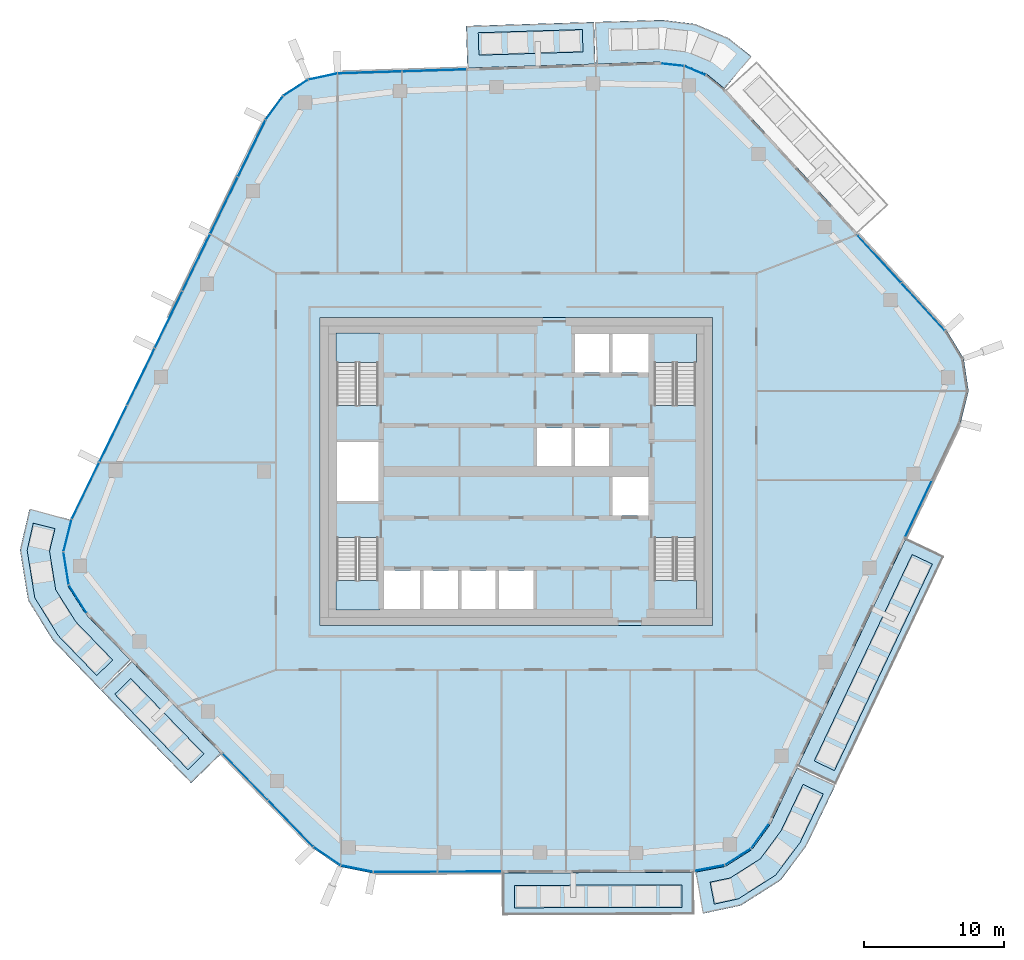
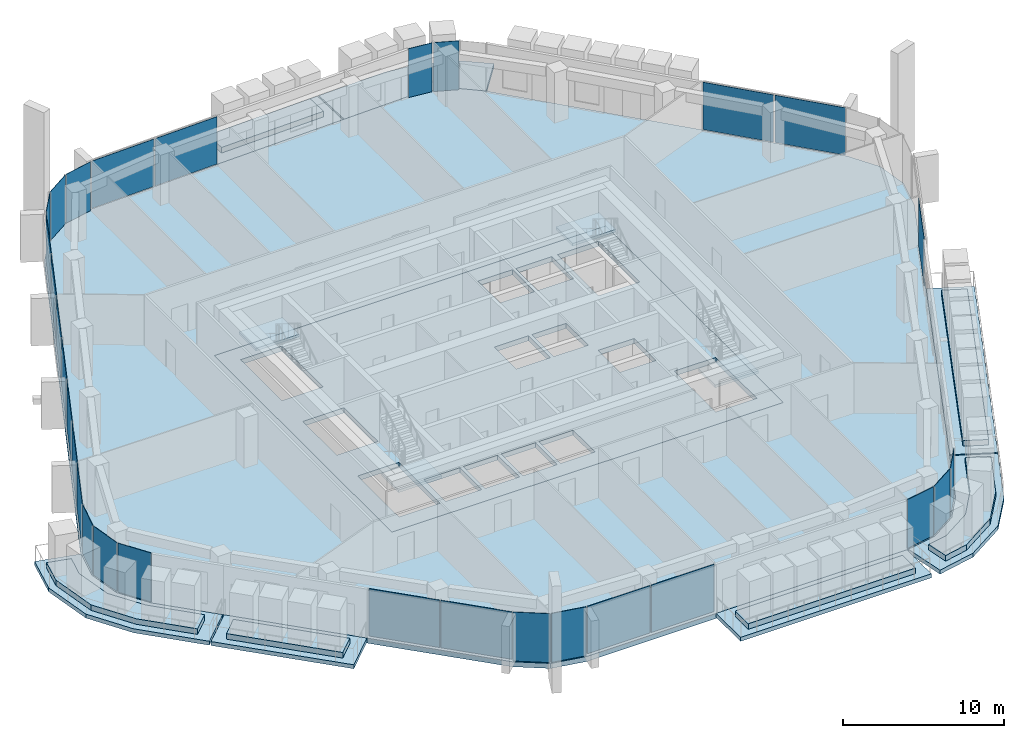
# One storey, part 11 of 24: 29 plates, 19 slabs, 15 elements without a shape of their own.
"""IFC4 building model written with IfcOpenShell, lengths in metres."""

from ifc_helpers import new_model, si_unit, direction, frame, origin, origin_2d, place, context, subcontext, project, spatial, polyline, rectangle, outline, extrude, material, layer, layer_set, type_object, element, aggregate, save


model = new_model("IFC4")

# Units and contexts
model_context = context("Model", 3, precision=1e-05, world=origin(), true_north=direction((0.0, 1.0)))
body_context = subcontext(model_context, "Body", "Model", "MODEL_VIEW")
ifc_project = project(units=[si_unit("LENGTHUNIT", "METRE"), si_unit("AREAUNIT", "SQUARE_METRE"), si_unit("VOLUMEUNIT", "CUBIC_METRE"), si_unit("PLANEANGLEUNIT", "RADIAN"), si_unit("MASSUNIT", "GRAM", prefix="KILO")], contexts=[model_context])

# Site, building, storey
site_placement = place(None, origin())
site = spatial("IfcSite", under=ifc_project, at=site_placement, CompositionType="ELEMENT")
building_placement = place(site_placement, origin())
building = spatial("IfcBuilding", under=site, at=building_placement, Name="Dongbaek Canopy Tower", CompositionType="ELEMENT")
storey_placement = place(building_placement, frame((0.0, 0.0, 344.60009765625)))
storey = spatial("IfcBuildingStorey", under=building, at=storey_placement, Name="L74", CompositionType="ELEMENT", Elevation=344.60009765625)

# Slabs
ifc_material_1 = material(Name="Concrete C40/50", Category="concrete")
ifc_layer_1 = layer(ifc_material_1, 0.300048828125)
ifc_layer_set_1 = layer_set([ifc_layer_1], Name="Balcony slab 300")
slab_type_1 = type_object("IfcSlabType", Name="Balcony slab 300", PredefinedType="FLOOR", material=ifc_layer_set_1)
slab_1_placement = place(storey_placement, frame((0.0, 0.0, -0.300048828125)))
element("IfcSlab", 1, at=slab_1_placement, inside=storey, type_object=slab_type_1, Name="Balcony L74 2", PredefinedType="FLOOR", context=body_context, shape_type="SweptSolid", body=[
    extrude(outline(polyline([(5.638916015625, 29.081298828125), (-3.489990234375, 28.798095703125), (-3.5830078125, 31.796630859375), (5.5458984375, 32.079833984375), (5.638916015625, 29.081298828125)])), origin(), (0.0, 0.0, 1.0), 0.300048828125),
])
slab_2_placement = place(storey_placement, frame((0.0, 0.0, -0.300048828125)))
element("IfcSlab", 2, at=slab_2_placement, inside=storey, type_object=slab_type_1, Name="Balcony L74 6", PredefinedType="FLOOR", context=body_context, shape_type="SweptSolid", body=[
    extrude(outline(polyline([(14.8701171875, 27.318603515625), (13.582763671875, 28.369873046875), (12.0048828125, 29.0341796875), (10.303466796875, 29.225830078125), (5.739013671875, 29.084228515625), (5.64599609375, 32.082763671875), (10.425048828125, 32.223388671875), (12.762451171875, 31.93701171875), (15.12939453125, 30.9404296875), (16.767578125, 29.642333984375), (14.8701171875, 27.318603515625)])), origin(), (0.0, 0.0, 1.0), 0.300048828125),
])
slab_3_placement = place(storey_placement, frame((0.0, 0.0, -0.300048828125)))
element("IfcSlab", 3, at=slab_3_placement, inside=storey, type_object=slab_type_1, Name="Balcony L74 3", PredefinedType="FLOOR", context=body_context, shape_type="SweptSolid", body=[
    extrude(outline(polyline([(-27.45849609375, -13.54345703125), (-21.053955078125, -20.143798828125), (-23.20703125, -22.23291015625), (-29.611572265625, -15.632568359375), (-27.45849609375, -13.54345703125)])), origin(), (0.0, 0.0, 1.0), 0.300048828125),
])
slab_4_placement = place(storey_placement, frame((0.0, 0.0, -0.300048828125)))
element("IfcSlab", 4, at=slab_4_placement, inside=storey, type_object=slab_type_1, Name="Balcony L74 7", PredefinedType="FLOOR", context=body_context, shape_type="SweptSolid", body=[
    extrude(outline(polyline([(-31.833984375, -3.4208984375), (-32.41845703125, -5.725830078125), (-32.03369140625, -8.123046875), (-30.73046875, -10.17138671875), (-27.5283203125, -13.4716796875), (-29.68115234375, -15.560791015625), (-33.084716796875, -12.03076171875), (-34.83837890625, -9.18798828125), (-35.41552734375, -5.592041015625), (-34.741943359375, -2.68359375), (-31.833984375, -3.4208984375)])), origin(), (0.0, 0.0, 1.0), 0.300048828125),
])
slab_5_placement = place(storey_placement, frame((0.0, 0.0, -0.300048828125)))
element("IfcSlab", 5, at=slab_5_placement, inside=storey, type_object=slab_type_1, Name="Balcony L74 4", PredefinedType="FLOOR", context=body_context, shape_type="SweptSolid", body=[
    extrude(outline(polyline([(-0.9921875, -28.6455078125), (12.675537109375, -28.603515625), (12.6845703125, -31.603515625), (-0.98291015625, -31.6455078125), (-0.9921875, -28.6455078125)])), origin(), (0.0, 0.0, 1.0), 0.300048828125),
])
slab_6_placement = place(storey_placement, frame((0.0, 0.0, -0.300048828125)))
element("IfcSlab", 6, at=slab_6_placement, inside=storey, type_object=slab_type_1, Name="Balcony L74 5", PredefinedType="FLOOR", context=body_context, shape_type="SweptSolid", body=[
    extrude(outline(polyline([(20.08935546875, -21.039306640625), (27.8056640625, -4.769775390625), (30.516357421875, -6.05517578125), (22.800048828125, -22.324951171875), (20.08935546875, -21.039306640625)])), origin(), (0.0, 0.0, 1.0), 0.300048828125),
])
slab_7_placement = place(storey_placement, frame((0.0, 0.0, -0.300048828125)))
element("IfcSlab", 7, at=slab_7_placement, inside=storey, type_object=slab_type_1, Name="Balcony L74 8", PredefinedType="FLOOR", context=body_context, shape_type="SweptSolid", body=[
    extrude(outline(polyline([(12.7744140625, -28.593994140625), (14.921630859375, -28.179931640625), (16.809814453125, -26.9814453125), (18.128173828125, -25.174560546875), (20.046630859375, -21.129638671875), (22.757080078125, -22.415283203125), (20.70654296875, -26.708251953125), (18.861328125, -29.17041015625), (16.02880859375, -30.968017578125), (13.3427734375, -31.53955078125), (12.7744140625, -28.593994140625)])), origin(), (0.0, 0.0, 1.0), 0.300048828125),
])

# Curtain wall, plates
ifc_material_2 = material(Name="Aluminium 6063-T6 pale anodised", Category="aluminium")
ifc_layer_2 = layer(ifc_material_2, 0.199951171875)
ifc_layer_set_2 = layer_set([ifc_layer_2], Name="CW-1 unitised tower curtain wall")
curtain_wall_type = type_object("IfcCurtainWallType", Name="CW-1 unitised tower curtain wall", PredefinedType="NOTDEFINED", material=ifc_layer_set_2)
curtain_wall_1_placement = place(storey_placement, origin())
curtain_wall_1 = element("IfcCurtainWall", 8, at=curtain_wall_1_placement, inside=storey, type_object=curtain_wall_type, Name="CW-1 curtain wall F0.1", PredefinedType="NOTDEFINED")
ifc_material_3 = material(Name="Clear laminated glass", Category="glass")
ifc_layer_3 = layer(ifc_material_3, 0.028076171875)
ifc_layer_set_3 = layer_set([ifc_layer_3], Name="CW-1 glazed panel 28")
plate_type = type_object("IfcPlateType", Name="CW-1 glazed panel 28", PredefinedType="CURTAIN_PANEL", material=ifc_layer_set_3)
plate_1_placement = place(storey_placement, frame((29.04833984375, 11.7412109375, 0.119873046875), z_axis=(0.0, 0.0, 1.0), x_axis=(-0.676365053133, 0.736566571941, 0.0)))
plate_1 = element("IfcPlate", 9, at=plate_1_placement, type_object=plate_type, Name="CW-1 panel F0.1.1.1", PredefinedType="CURTAIN_PANEL", context=body_context, shape_type="SweptSolid", body=[
    extrude(rectangle(XDim=4.576904296875, YDim=0.028076171875, at=origin_2d()), origin(), (0.0, 0.0, 1.0), 3.580078125),
])
plate_2_placement = place(storey_placement, frame((25.892578125, 15.177978515625, 0.119873046875), z_axis=(0.0, 0.0, 1.0), x_axis=(-0.676365053133, 0.736566571941, 0.0)))
plate_2 = element("IfcPlate", 10, at=plate_2_placement, type_object=plate_type, Name="CW-1 panel F0.1.2.1", PredefinedType="CURTAIN_PANEL", context=body_context, shape_type="SweptSolid", body=[
    extrude(rectangle(XDim=4.5869140625, YDim=0.028076171875, at=origin_2d()), origin(), (0.0, 0.0, 1.0), 3.580078125),
])
aggregate(curtain_wall_1, [plate_1, plate_2])

curtain_wall_2_placement = place(storey_placement, origin())
curtain_wall_2 = element("IfcCurtainWall", 11, at=curtain_wall_2_placement, inside=storey, type_object=curtain_wall_type, Name="CW-1 curtain wall K1.1", PredefinedType="NOTDEFINED")
plate_3_placement = place(storey_placement, frame((12.7548828125, 28.60986328125, 0.0), z_axis=(0.0, 0.0, 1.0), x_axis=(-0.921649608494, 0.388023194103, 0.0)))
plate_3 = element("IfcPlate", 12, at=plate_3_placement, type_object=plate_type, Name="CW-1 panel K1.1.2.1", PredefinedType="CURTAIN_PANEL", context=body_context, shape_type="SweptSolid", body=[
    extrude(rectangle(XDim=1.599365234375, YDim=0.028076171875, at=origin_2d()), origin(), (0.0, 0.0, 1.0), 3.699951171875),
])
plate_4_placement = place(storey_placement, frame((11.139404296875, 29.03125, 0.0), z_axis=(0.0, 0.0, 1.0), x_axis=(-0.9937170701, 0.111921332156, 0.0)))
plate_4 = element("IfcPlate", 13, at=plate_4_placement, type_object=plate_type, Name="CW-1 panel K1.1.3.1", PredefinedType="CURTAIN_PANEL", context=body_context, shape_type="SweptSolid", body=[
    extrude(rectangle(XDim=1.6064453125, YDim=0.028076171875, at=origin_2d()), origin(), (0.0, 0.0, 1.0), 3.699951171875),
])
aggregate(curtain_wall_2, [plate_3, plate_4])

curtain_wall_3_placement = place(storey_placement, origin())
curtain_wall_3 = element("IfcCurtainWall", 14, at=curtain_wall_3_placement, inside=storey, type_object=curtain_wall_type, Name="CW-1 curtain wall F1.1", PredefinedType="NOTDEFINED")
plate_5_placement = place(storey_placement, frame((-5.843994140625, 28.625, 0.119873046875), z_axis=(0.0, 0.0, 1.0), x_axis=(-0.999519278036, -0.031003432615, 0.0)))
plate_5 = element("IfcPlate", 15, at=plate_5_placement, type_object=plate_type, Name="CW-1 panel F1.1.1.1", PredefinedType="CURTAIN_PANEL", context=body_context, shape_type="SweptSolid", body=[
    extrude(rectangle(XDim=4.53271484375, YDim=0.028076171875, at=origin_2d()), origin(), (0.0, 0.0, 1.0), 3.580078125),
])
plate_6_placement = place(storey_placement, frame((-10.4541015625, 28.48193359375, 0.119873046875), z_axis=(0.0, 0.0, 1.0), x_axis=(-0.999519278036, -0.031003432615, 0.0)))
plate_6 = element("IfcPlate", 16, at=plate_6_placement, type_object=plate_type, Name="CW-1 panel F1.1.2.1", PredefinedType="CURTAIN_PANEL", context=body_context, shape_type="SweptSolid", body=[
    extrude(rectangle(XDim=4.523681640625, YDim=0.028076171875, at=origin_2d()), origin(), (0.0, 0.0, 1.0), 3.580078125),
])
aggregate(curtain_wall_3, [plate_5, plate_6])

curtain_wall_4_placement = place(storey_placement, origin())
curtain_wall_4 = element("IfcCurtainWall", 17, at=curtain_wall_4_placement, inside=storey, type_object=curtain_wall_type, Name="CW-1 curtain wall K2.1", PredefinedType="NOTDEFINED")
plate_7_placement = place(storey_placement, frame((-13.80078125, 28.185546875, 0.0), z_axis=(0.0, 0.0, 1.0), x_axis=(-0.977548529684, -0.210710398681, 0.0)))
plate_7 = element("IfcPlate", 18, at=plate_7_placement, type_object=plate_type, Name="CW-1 panel K2.1.1.1", PredefinedType="CURTAIN_PANEL", context=body_context, shape_type="SweptSolid", body=[
    extrude(rectangle(XDim=2.05224609375, YDim=0.028076171875, at=origin_2d()), origin(), (0.0, 0.0, 1.0), 3.699951171875),
])
plate_8_placement = place(storey_placement, frame((-15.737548828125, 27.382080078125, 0.0), z_axis=(0.0, 0.0, 1.0), x_axis=(-0.839253179974, -0.543740838914, 0.0)))
plate_8 = element("IfcPlate", 19, at=plate_8_placement, type_object=plate_type, Name="CW-1 panel K2.1.2.1", PredefinedType="CURTAIN_PANEL", context=body_context, shape_type="SweptSolid", body=[
    extrude(rectangle(XDim=2.04296875, YDim=0.028076171875, at=origin_2d()), origin(), (0.0, 0.0, 1.0), 3.699951171875),
])
plate_9_placement = place(storey_placement, frame((-17.26220703125, 25.94287109375, 0.0), z_axis=(0.0, 0.0, 1.0), x_axis=(-0.591825645502, -0.806066005564, 0.0)))
plate_9 = element("IfcPlate", 20, at=plate_9_placement, type_object=plate_type, Name="CW-1 panel K2.1.3.1", PredefinedType="CURTAIN_PANEL", context=body_context, shape_type="SweptSolid", body=[
    extrude(rectangle(XDim=2.05224609375, YDim=0.028076171875, at=origin_2d()), origin(), (0.0, 0.0, 1.0), 3.699951171875),
])
aggregate(curtain_wall_4, [plate_7, plate_8, plate_9])

curtain_wall_5_placement = place(storey_placement, origin())
curtain_wall_5 = element("IfcCurtainWall", 21, at=curtain_wall_5_placement, inside=storey, type_object=curtain_wall_type, Name="CW-1 curtain wall F2.1", PredefinedType="NOTDEFINED")
plate_10_placement = place(storey_placement, frame((-18.880859375, 23.050048828125, 0.119873046875), z_axis=(0.0, 0.0, 1.0), x_axis=(-0.436791312067, -0.899562865898, 0.0)))
plate_10 = element("IfcPlate", 22, at=plate_10_placement, type_object=plate_type, Name="CW-1 panel F2.1.1.1", PredefinedType="CURTAIN_PANEL", context=body_context, shape_type="SweptSolid", body=[
    extrude(rectangle(XDim=4.433837890625, YDim=0.028076171875, at=origin_2d()), origin(), (0.0, 0.0, 1.0), 3.580078125),
])
plate_11_placement = place(storey_placement, frame((-20.8564453125, 18.981689453125, 0.119873046875), z_axis=(0.0, 0.0, 1.0), x_axis=(-0.436791312067, -0.899562865898, 0.0)))
plate_11 = element("IfcPlate", 23, at=plate_11_placement, type_object=plate_type, Name="CW-1 panel F2.1.2.1", PredefinedType="CURTAIN_PANEL", context=body_context, shape_type="SweptSolid", body=[
    extrude(rectangle(XDim=4.443115234375, YDim=0.028076171875, at=origin_2d()), origin(), (0.0, 0.0, 1.0), 3.580078125),
])
plate_12_placement = place(storey_placement, frame((-22.833740234375, 14.909423828125, 0.119873046875), z_axis=(0.0, 0.0, 1.0), x_axis=(-0.436791312067, -0.899562865898, 0.0)))
plate_12 = element("IfcPlate", 24, at=plate_12_placement, type_object=plate_type, Name="CW-1 panel F2.1.3.1", PredefinedType="CURTAIN_PANEL", context=body_context, shape_type="SweptSolid", body=[
    extrude(rectangle(XDim=4.443115234375, YDim=0.028076171875, at=origin_2d()), origin(), (0.0, 0.0, 1.0), 3.580078125),
])
plate_13_placement = place(storey_placement, frame((-24.81103515625, 10.837158203125, 0.119873046875), z_axis=(0.0, 0.0, 1.0), x_axis=(-0.436791312067, -0.899562865898, 0.0)))
plate_13 = element("IfcPlate", 25, at=plate_13_placement, type_object=plate_type, Name="CW-1 panel F2.1.4.1", PredefinedType="CURTAIN_PANEL", context=body_context, shape_type="SweptSolid", body=[
    extrude(rectangle(XDim=4.443115234375, YDim=0.028076171875, at=origin_2d()), origin(), (0.0, 0.0, 1.0), 3.580078125),
])
plate_14_placement = place(storey_placement, frame((-26.788330078125, 6.7646484375, 0.119873046875), z_axis=(0.0, 0.0, 1.0), x_axis=(-0.436791312067, -0.899562865898, 0.0)))
plate_14 = element("IfcPlate", 26, at=plate_14_placement, type_object=plate_type, Name="CW-1 panel F2.1.5.1", PredefinedType="CURTAIN_PANEL", context=body_context, shape_type="SweptSolid", body=[
    extrude(rectangle(XDim=4.443115234375, YDim=0.028076171875, at=origin_2d()), origin(), (0.0, 0.0, 1.0), 3.580078125),
])
plate_15_placement = place(storey_placement, frame((-28.765869140625, 2.6923828125, 0.119873046875), z_axis=(0.0, 0.0, 1.0), x_axis=(-0.436791312067, -0.899562865898, 0.0)))
plate_15 = element("IfcPlate", 27, at=plate_15_placement, type_object=plate_type, Name="CW-1 panel F2.1.6.1", PredefinedType="CURTAIN_PANEL", context=body_context, shape_type="SweptSolid", body=[
    extrude(rectangle(XDim=4.443115234375, YDim=0.028076171875, at=origin_2d()), origin(), (0.0, 0.0, 1.0), 3.580078125),
])
plate_16_placement = place(storey_placement, frame((-30.740966796875, -1.375244140625, 0.119873046875), z_axis=(0.0, 0.0, 1.0), x_axis=(-0.436791312067, -0.899562865898, 0.0)))
plate_16 = element("IfcPlate", 28, at=plate_16_placement, type_object=plate_type, Name="CW-1 panel F2.1.7.1", PredefinedType="CURTAIN_PANEL", context=body_context, shape_type="SweptSolid", body=[
    extrude(rectangle(XDim=4.432861328125, YDim=0.028076171875, at=origin_2d()), origin(), (0.0, 0.0, 1.0), 3.580078125),
])
aggregate(curtain_wall_5, [plate_10, plate_11, plate_12, plate_13, plate_14, plate_15, plate_16])

curtain_wall_6_placement = place(storey_placement, origin())
curtain_wall_6 = element("IfcCurtainWall", 29, at=curtain_wall_6_placement, inside=storey, type_object=curtain_wall_type, Name="CW-1 curtain wall K3.1", PredefinedType="NOTDEFINED")
plate_17_placement = place(storey_placement, frame((-32.02197265625, -4.568603515625, 0.0), z_axis=(0.0, 0.0, 1.0), x_axis=(-0.245758469345, -0.969331096553, 0.0)))
plate_17 = element("IfcPlate", 30, at=plate_17_placement, type_object=plate_type, Name="CW-1 panel K3.1.1.1", PredefinedType="CURTAIN_PANEL", context=body_context, shape_type="SweptSolid", body=[
    extrude(rectangle(XDim=2.31298828125, YDim=0.028076171875, at=origin_2d()), origin(), (0.0, 0.0, 1.0), 3.699951171875),
])
plate_18_placement = place(storey_placement, frame((-32.127197265625, -6.908447265625, 0.0), z_axis=(0.0, 0.0, 1.0), x_axis=(0.158480008321, -0.987362186314, 0.0)))
plate_18 = element("IfcPlate", 31, at=plate_18_placement, type_object=plate_type, Name="CW-1 panel K3.1.2.1", PredefinedType="CURTAIN_PANEL", context=body_context, shape_type="SweptSolid", body=[
    extrude(rectangle(XDim=2.302490234375, YDim=0.028076171875, at=origin_2d()), origin(), (0.0, 0.0, 1.0), 3.699951171875),
])
plate_19_placement = place(storey_placement, frame((-31.294921875, -9.097900390625, 0.0), z_axis=(0.0, 0.0, 1.0), x_axis=(0.536769941392, -0.843728647148, 0.0)))
plate_19 = element("IfcPlate", 32, at=plate_19_placement, type_object=plate_type, Name="CW-1 panel K3.1.3.1", PredefinedType="CURTAIN_PANEL", context=body_context, shape_type="SweptSolid", body=[
    extrude(rectangle(XDim=2.31298828125, YDim=0.028076171875, at=origin_2d()), origin(), (0.0, 0.0, 1.0), 3.699951171875),
])
aggregate(curtain_wall_6, [plate_17, plate_18, plate_19])

curtain_wall_7_placement = place(storey_placement, origin())
curtain_wall_7 = element("IfcCurtainWall", 33, at=curtain_wall_7_placement, inside=storey, type_object=curtain_wall_type, Name="CW-1 curtain wall F3.1", PredefinedType="NOTDEFINED")
plate_20_placement = place(storey_placement, frame((-19.328857421875, -21.7783203125, 0.119873046875), z_axis=(0.0, 0.0, 1.0), x_axis=(0.696372585353, -0.717680445859, 0.0)))
plate_20 = element("IfcPlate", 34, at=plate_20_placement, type_object=plate_type, Name="CW-1 panel F3.1.1.1", PredefinedType="CURTAIN_PANEL", context=body_context, shape_type="SweptSolid", body=[
    extrude(rectangle(XDim=4.564453125, YDim=0.028076171875, at=origin_2d()), origin(), (0.0, 0.0, 1.0), 3.580078125),
])
plate_21_placement = place(storey_placement, frame((-16.095458984375, -25.110595703125, 0.119873046875), z_axis=(0.0, 0.0, 1.0), x_axis=(0.696372585353, -0.717680445859, 0.0)))
plate_21 = element("IfcPlate", 35, at=plate_21_placement, type_object=plate_type, Name="CW-1 panel F3.1.2.1", PredefinedType="CURTAIN_PANEL", context=body_context, shape_type="SweptSolid", body=[
    extrude(rectangle(XDim=4.554443359375, YDim=0.028076171875, at=origin_2d()), origin(), (0.0, 0.0, 1.0), 3.580078125),
])
aggregate(curtain_wall_7, [plate_20, plate_21])

curtain_wall_8_placement = place(storey_placement, origin())
curtain_wall_8 = element("IfcCurtainWall", 36, at=curtain_wall_8_placement, inside=storey, type_object=curtain_wall_type, Name="CW-1 curtain wall K4.1", PredefinedType="NOTDEFINED")
plate_22_placement = place(storey_placement, frame((-13.504638671875, -27.442138671875, 0.0), z_axis=(0.0, 0.0, 1.0), x_axis=(0.82557108469, -0.564298134078, 0.0)))
plate_22 = element("IfcPlate", 37, at=plate_22_placement, type_object=plate_type, Name="CW-1 panel K4.1.1.1", PredefinedType="CURTAIN_PANEL", context=body_context, shape_type="SweptSolid", body=[
    extrude(rectangle(XDim=2.280029296875, YDim=0.028076171875, at=origin_2d()), origin(), (0.0, 0.0, 1.0), 3.699951171875),
])
plate_23_placement = place(storey_placement, frame((-11.369873046875, -28.341552734375, 0.0), z_axis=(0.0, 0.0, 1.0), x_axis=(0.980497895661, -0.196529582008, 0.0)))
plate_23 = element("IfcPlate", 38, at=plate_23_placement, type_object=plate_type, Name="CW-1 panel K4.1.2.1", PredefinedType="CURTAIN_PANEL", context=body_context, shape_type="SweptSolid", body=[
    extrude(rectangle(XDim=2.280029296875, YDim=0.028076171875, at=origin_2d()), origin(), (0.0, 0.0, 1.0), 3.699951171875),
])
aggregate(curtain_wall_8, [plate_22, plate_23])

curtain_wall_9_placement = place(storey_placement, origin())
curtain_wall_9 = element("IfcCurtainWall", 39, at=curtain_wall_9_placement, inside=storey, type_object=curtain_wall_type, Name="CW-1 curtain wall F4.1", PredefinedType="NOTDEFINED")
plate_24_placement = place(storey_placement, frame((-7.92138671875, -28.566650390625, 0.119873046875), z_axis=(0.0, 0.0, 1.0), x_axis=(0.999995301035, 0.003065600754, 0.0)))
plate_24 = element("IfcPlate", 40, at=plate_24_placement, type_object=plate_type, Name="CW-1 panel F4.1.1.1", PredefinedType="CURTAIN_PANEL", context=body_context, shape_type="SweptSolid", body=[
    extrude(rectangle(XDim=4.4951171875, YDim=0.028076171875, at=origin_2d()), origin(), (0.0, 0.0, 1.0), 3.580078125),
])
plate_25_placement = place(storey_placement, frame((-3.337158203125, -28.552734375, 0.119873046875), z_axis=(0.0, 0.0, 1.0), x_axis=(0.999995301035, 0.003065600754, 0.0)))
plate_25 = element("IfcPlate", 41, at=plate_25_placement, type_object=plate_type, Name="CW-1 panel F4.1.2.1", PredefinedType="CURTAIN_PANEL", context=body_context, shape_type="SweptSolid", body=[
    extrude(rectangle(XDim=4.505126953125, YDim=0.028076171875, at=origin_2d()), origin(), (0.0, 0.0, 1.0), 3.580078125),
])
aggregate(curtain_wall_9, [plate_24, plate_25])

curtain_wall_10_placement = place(storey_placement, origin())
curtain_wall_10 = element("IfcCurtainWall", 42, at=curtain_wall_10_placement, inside=storey, type_object=curtain_wall_type, Name="CW-1 curtain wall K5.1", PredefinedType="NOTDEFINED")
plate_26_placement = place(storey_placement, frame((13.7998046875, -28.29443359375, 0.0), z_axis=(0.0, 0.0, 1.0), x_axis=(0.981901223522, 0.189393736027, 0.0)))
plate_26 = element("IfcPlate", 43, at=plate_26_placement, type_object=plate_type, Name="CW-1 panel K5.1.1.1", PredefinedType="CURTAIN_PANEL", context=body_context, shape_type="SweptSolid", body=[
    extrude(rectangle(XDim=2.124267578125, YDim=0.028076171875, at=origin_2d()), origin(), (0.0, 0.0, 1.0), 3.699951171875),
])
plate_27_placement = place(storey_placement, frame((15.812255859375, -27.49609375, 0.0), z_axis=(0.0, 0.0, 1.0), x_axis=(0.844319285797, 0.535840408733, 0.0)))
plate_27 = element("IfcPlate", 44, at=plate_27_placement, type_object=plate_type, Name="CW-1 panel K5.1.2.1", PredefinedType="CURTAIN_PANEL", context=body_context, shape_type="SweptSolid", body=[
    extrude(rectangle(XDim=2.11474609375, YDim=0.028076171875, at=origin_2d()), origin(), (0.0, 0.0, 1.0), 3.699951171875),
])
plate_28_placement = place(storey_placement, frame((17.39111328125, -26.01513671875, 0.0), z_axis=(0.0, 0.0, 1.0), x_axis=(0.589415732916, 0.80782986686, 0.0)))
plate_28 = element("IfcPlate", 45, at=plate_28_placement, type_object=plate_type, Name="CW-1 panel K5.1.3.1", PredefinedType="CURTAIN_PANEL", context=body_context, shape_type="SweptSolid", body=[
    extrude(rectangle(XDim=2.124267578125, YDim=0.028076171875, at=origin_2d()), origin(), (0.0, 0.0, 1.0), 3.699951171875),
])
aggregate(curtain_wall_10, [plate_26, plate_27, plate_28])

# Curtain wall, plate
curtain_wall_11_placement = place(storey_placement, origin())
curtain_wall_11 = element("IfcCurtainWall", 46, at=curtain_wall_11_placement, inside=storey, type_object=curtain_wall_type, Name="CW-1 curtain wall F5.1", PredefinedType="NOTDEFINED")
plate_29_placement = place(storey_placement, frame((28.706787109375, -2.63671875, 0.119873046875), z_axis=(0.0, 0.0, 1.0), x_axis=(0.428521992738, 0.903531350723, 0.0)))
plate_29 = element("IfcPlate", 47, at=plate_29_placement, type_object=plate_type, Name="CW-1 panel F5.1.1.1", PredefinedType="CURTAIN_PANEL", context=body_context, shape_type="SweptSolid", body=[
    extrude(rectangle(XDim=4.442626953125, YDim=0.028076171875, at=origin_2d()), origin(), (0.0, 0.0, 1.0), 3.580078125),
])
aggregate(curtain_wall_11, [plate_29])

# Slab
ifc_material_4 = material(Name="Concrete C40/50", Category="concrete")
ifc_layer_4 = layer(ifc_material_4, 0.3798828125)
ifc_layer_set_4 = layer_set([ifc_layer_4], Name="Core floor slab 380 Concrete C40/50")
slab_type_2 = type_object("IfcSlabType", Name="Core floor slab 380 Concrete C40/50", PredefinedType="FLOOR", material=ifc_layer_set_4)
slab_8_placement = place(storey_placement, frame((0.0, 0.0, -0.380126953125)))
element("IfcSlab", 48, at=slab_8_placement, inside=storey, type_object=slab_type_2, Name="Core floor slab L74", PredefinedType="FLOOR", context=body_context, shape_type="SweptSolid", body=[
    extrude(outline(polyline([(14.0, -11.0), (14.0, 11.0), (-14.0, 11.0), (-14.0, -11.0), (14.0, -11.0)]), holes=[polyline([(-12.800048828125, 2.10009765625), (-9.85009765625, 2.10009765625), (-9.85009765625, -2.10009765625), (-12.800048828125, -2.10009765625), (-12.800048828125, 2.10009765625)]), polyline([(6.625, 9.800048828125), (6.625, 7.074951171875), (4.175048828125, 7.074951171875), (4.175048828125, 9.800048828125), (6.625, 9.800048828125)]), polyline([(9.449951171875, 7.074951171875), (6.875, 7.074951171875), (6.875, 9.800048828125), (9.449951171875, 9.800048828125), (9.449951171875, 7.074951171875)]), polyline([(1.47509765625, 3.125), (3.925048828125, 3.125), (3.925048828125, 0.39990234375), (1.47509765625, 0.39990234375), (1.47509765625, 3.125)]), polyline([(4.175048828125, 0.39990234375), (4.175048828125, 3.125), (6.625, 3.125), (6.625, 0.39990234375), (4.175048828125, 0.39990234375)]), polyline([(9.449951171875, -3.125), (6.875, -3.125), (6.875, -0.39990234375), (9.449951171875, -0.39990234375), (9.449951171875, -3.125)]), polyline([(-9.449951171875, -7.074951171875), (-6.875, -7.074951171875), (-6.875, -9.800048828125), (-9.449951171875, -9.800048828125), (-9.449951171875, -7.074951171875)]), polyline([(-6.625, -9.800048828125), (-6.625, -7.074951171875), (-4.175048828125, -7.074951171875), (-4.175048828125, -9.800048828125), (-6.625, -9.800048828125)]), polyline([(-3.925048828125, -9.800048828125), (-3.925048828125, -7.074951171875), (-1.47509765625, -7.074951171875), (-1.47509765625, -9.800048828125), (-3.925048828125, -9.800048828125)]), polyline([(-1.22509765625, -9.800048828125), (-1.22509765625, -7.074951171875), (1.22509765625, -7.074951171875), (1.22509765625, -9.800048828125), (-1.22509765625, -9.800048828125)]), polyline([(12.800048828125, 4.70068359375), (12.800048828125, 9.800048828125), (9.85009765625, 9.800048828125), (9.85009765625, 4.70068359375), (12.800048828125, 4.70068359375)]), polyline([(-9.85009765625, 4.70068359375), (-9.85009765625, 9.800048828125), (-12.800048828125, 9.800048828125), (-12.800048828125, 4.70068359375), (-9.85009765625, 4.70068359375)]), polyline([(9.85009765625, -4.70068359375), (9.85009765625, -9.800048828125), (12.800048828125, -9.800048828125), (12.800048828125, -4.70068359375), (9.85009765625, -4.70068359375)]), polyline([(-12.800048828125, -4.70068359375), (-12.800048828125, -9.800048828125), (-9.85009765625, -9.800048828125), (-9.85009765625, -4.70068359375), (-12.800048828125, -4.70068359375)])]), origin(), (0.0, 0.0, 1.0), 0.380126953125),
])

# Stair, slab
ifc_material_5 = material(Name="Concrete C40/50", Category="concrete")
stair_type = type_object("IfcStairType", Name="Core exit stair", PredefinedType="HALF_TURN_STAIR", material=ifc_material_5)
stair_1_placement = place(storey_placement, origin())
stair_1 = element("IfcStair", 49, at=stair_1_placement, inside=storey, type_object=stair_type, Name="L74 exit stair A", PredefinedType="HALF_TURN_STAIR")
ifc_material_6 = material(Name="Concrete C40/50", Category="concrete")
ifc_layer_5 = layer(ifc_material_6, 0.199951171875)
ifc_layer_set_5 = layer_set([ifc_layer_5], Name="Core stair landing 200")
slab_type_3 = type_object("IfcSlabType", Name="Core stair landing 200", PredefinedType="LANDING", material=ifc_layer_set_5)
slab_9_placement = place(storey_placement, frame((0.0, 0.0, 1.89990234375)))
slab_9 = element("IfcSlab", 50, at=slab_9_placement, type_object=slab_type_3, Name="ST-A landing 1", PredefinedType="LANDING", context=body_context, shape_type="SweptSolid", body=[
    extrude(outline(polyline([(12.875, 7.780029296875), (12.875, 9.875), (9.77490234375, 9.875), (9.77490234375, 7.780029296875), (12.875, 7.780029296875)])), origin(), (0.0, 0.0, 1.0), 0.199951171875),
])
aggregate(stair_1, [slab_9])

stair_2_placement = place(storey_placement, origin())
stair_2 = element("IfcStair", 51, at=stair_2_placement, inside=storey, type_object=stair_type, Name="L74 exit stair C", PredefinedType="HALF_TURN_STAIR")
slab_10_placement = place(storey_placement, frame((0.0, 0.0, 1.89990234375)))
slab_10 = element("IfcSlab", 52, at=slab_10_placement, type_object=slab_type_3, Name="ST-C landing 1", PredefinedType="LANDING", context=body_context, shape_type="SweptSolid", body=[
    extrude(outline(polyline([(-9.77490234375, 7.780029296875), (-9.77490234375, 9.875), (-12.875, 9.875), (-12.875, 7.780029296875), (-9.77490234375, 7.780029296875)])), origin(), (0.0, 0.0, 1.0), 0.199951171875),
])
aggregate(stair_2, [slab_10])

stair_3_placement = place(storey_placement, origin())
stair_3 = element("IfcStair", 53, at=stair_3_placement, inside=storey, type_object=stair_type, Name="L74 exit stair B", PredefinedType="HALF_TURN_STAIR")
slab_11_placement = place(storey_placement, frame((0.0, 0.0, 1.89990234375)))
slab_11 = element("IfcSlab", 54, at=slab_11_placement, type_object=slab_type_3, Name="ST-B landing 1", PredefinedType="LANDING", context=body_context, shape_type="SweptSolid", body=[
    extrude(outline(polyline([(9.77490234375, -7.780029296875), (9.77490234375, -9.875), (12.875, -9.875), (12.875, -7.780029296875), (9.77490234375, -7.780029296875)])), origin(), (0.0, 0.0, 1.0), 0.199951171875),
])
aggregate(stair_3, [slab_11])

stair_4_placement = place(storey_placement, origin())
stair_4 = element("IfcStair", 55, at=stair_4_placement, inside=storey, type_object=stair_type, Name="L74 exit stair D", PredefinedType="HALF_TURN_STAIR")
slab_12_placement = place(storey_placement, frame((0.0, 0.0, 1.89990234375)))
slab_12 = element("IfcSlab", 56, at=slab_12_placement, type_object=slab_type_3, Name="ST-D landing 1", PredefinedType="LANDING", context=body_context, shape_type="SweptSolid", body=[
    extrude(outline(polyline([(-12.875, -7.780029296875), (-12.875, -9.875), (-9.77490234375, -9.875), (-9.77490234375, -7.780029296875), (-12.875, -7.780029296875)])), origin(), (0.0, 0.0, 1.0), 0.199951171875),
])
aggregate(stair_4, [slab_12])

# Slabs
ifc_material_7 = material(Name="Concrete C40", Category="concrete")
ifc_layer_6 = layer(ifc_material_7, 0.3798828125)
ifc_layer_set_6 = layer_set([ifc_layer_6], Name="RC FLAT PLATE 380 Concrete C40")
slab_type_4 = type_object("IfcSlabType", Name="RC FLAT PLATE 380 Concrete C40", PredefinedType="FLOOR", material=ifc_layer_set_6)
slab_13_placement = place(storey_placement, frame((0.0, 0.0, -0.380126953125)))
element("IfcSlab", 57, at=slab_13_placement, inside=storey, type_object=slab_type_4, Name="SLAB:L74", PredefinedType="FLOOR", context=body_context, shape_type="SweptSolid", body=[
    extrude(outline(polyline([(18.128173828125, -25.174560546875), (16.809814453125, -26.9814453125), (14.92138671875, -28.1796875), (12.725341796875, -28.603515625), (-10.220703125, -28.673828125), (-12.568359375, -28.203125), (-14.545166015625, -26.85205078125), (-30.73046875, -10.17138671875), (-32.03369140625, -8.123046875), (-32.41845703125, -5.725830078125), (-31.82177734375, -3.372314453125), (-17.980224609375, 25.1337890625), (-16.69970703125, 26.8779296875), (-14.8837890625, 28.05419921875), (-12.768798828125, 28.51025390625), (10.303466796875, 29.225830078125), (12.0048828125, 29.0341796875), (13.582763671875, 28.369873046875), (14.90869140625, 27.287109375), (30.705078125, 10.0849609375), (31.9267578125, 8.070556640625), (32.27880859375, 5.740966796875), (31.706787109375, 3.45556640625), (18.128173828125, -25.174560546875)]), holes=[polyline([(14.0, 11.0), (-14.0, 11.0), (-14.0, -11.0), (14.0, -11.0), (14.0, 11.0)])]), origin(), (0.0, 0.0, 1.0), 0.380126953125),
])
ifc_material_8 = material(Name="Reinforced concrete C40/50 planter box with soil", Category="concrete")
ifc_layer_7 = layer(ifc_material_8, 0.419921875)
ifc_layer_set_7 = layer_set([ifc_layer_7], Name="Terrace planter box 1600 x 420")
slab_type_5 = type_object("IfcSlabType", Name="Terrace planter box 1600 x 420", PredefinedType="USERDEFINED", material=ifc_layer_set_7)
slab_14_placement = place(storey_placement, origin())
element("IfcSlab", 58, at=slab_14_placement, inside=storey, type_object=slab_type_5, Name="Balcony planter L74 2", ObjectType="PLANTER", PredefinedType="USERDEFINED", context=body_context, shape_type="SweptSolid", body=[
    extrude(outline(polyline([(4.76171875, 29.9443359375), (-2.66796875, 29.7138671875), (-2.717529296875, 31.313232421875), (4.712158203125, 31.543701171875), (4.76171875, 29.9443359375)])), origin(), (0.0, 0.0, 1.0), 0.419921875),
])
slab_15_placement = place(storey_placement, origin())
element("IfcSlab", 59, at=slab_15_placement, inside=storey, type_object=slab_type_5, Name="Balcony planter L74 3", ObjectType="PLANTER", PredefinedType="USERDEFINED", context=body_context, shape_type="SweptSolid", body=[
    extrude(outline(polyline([(-27.50537109375, -14.773193359375), (-22.28466796875, -20.153564453125), (-23.43310546875, -21.267822265625), (-28.653564453125, -15.887451171875), (-27.50537109375, -14.773193359375)])), origin(), (0.0, 0.0, 1.0), 0.419921875),
])
slab_16_placement = place(storey_placement, origin())
element("IfcSlab", 60, at=slab_16_placement, inside=storey, type_object=slab_type_5, Name="Balcony planter L74 7", ObjectType="PLANTER", PredefinedType="USERDEFINED", context=body_context, shape_type="SweptSolid", body=[
    extrude(outline(polyline([(-32.91796875, -4.074462890625), (-33.3076171875, -5.68603515625), (-32.86572265625, -8.43896484375), (-31.428955078125, -10.722900390625), (-28.793701171875, -13.445556640625), (-29.94189453125, -14.559814453125), (-32.6845703125, -11.714599609375), (-34.361572265625, -9.0068359375), (-34.906005859375, -5.61474609375), (-34.46875, -3.681396484375), (-32.91796875, -4.074462890625)])), origin(), (0.0, 0.0, 1.0), 0.419921875),
])
slab_17_placement = place(storey_placement, origin())
element("IfcSlab", 61, at=slab_17_placement, inside=storey, type_object=slab_type_5, Name="Balcony planter L74 4", ObjectType="PLANTER", PredefinedType="USERDEFINED", context=body_context, shape_type="SweptSolid", body=[
    extrude(outline(polyline([(-0.139404296875, -29.532958984375), (11.828125, -29.49609375), (11.8330078125, -31.09619140625), (-0.134521484375, -31.1328125), (-0.139404296875, -29.532958984375)])), origin(), (0.0, 0.0, 1.0), 0.419921875),
])
slab_18_placement = place(storey_placement, origin())
element("IfcSlab", 62, at=slab_18_placement, inside=storey, type_object=slab_type_5, Name="Balcony planter L74 5", ObjectType="PLANTER", PredefinedType="USERDEFINED", context=body_context, shape_type="SweptSolid", body=[
    extrude(outline(polyline([(21.2578125, -20.65283203125), (28.24560546875, -5.9189453125), (29.69140625, -6.604736328125), (22.703369140625, -21.33837890625), (21.2578125, -20.65283203125)])), origin(), (0.0, 0.0, 1.0), 0.419921875),
])
slab_19_placement = place(storey_placement, origin())
element("IfcSlab", 63, at=slab_19_placement, inside=storey, type_object=slab_type_5, Name="Balcony planter L74 8", ObjectType="PLANTER", PredefinedType="USERDEFINED", context=body_context, shape_type="SweptSolid", body=[
    extrude(outline(polyline([(13.826904296875, -29.29736328125), (15.25, -29.007080078125), (17.41845703125, -27.630859375), (18.89306640625, -25.629638671875), (20.465087890625, -22.32421875), (21.91064453125, -23.010009765625), (20.268310546875, -26.447509765625), (18.5126953125, -28.798095703125), (15.840576171875, -30.494140625), (14.1298828125, -30.868408203125), (13.826904296875, -29.29736328125)])), origin(), (0.0, 0.0, 1.0), 0.419921875),
])

save(model, "model.ifc")
